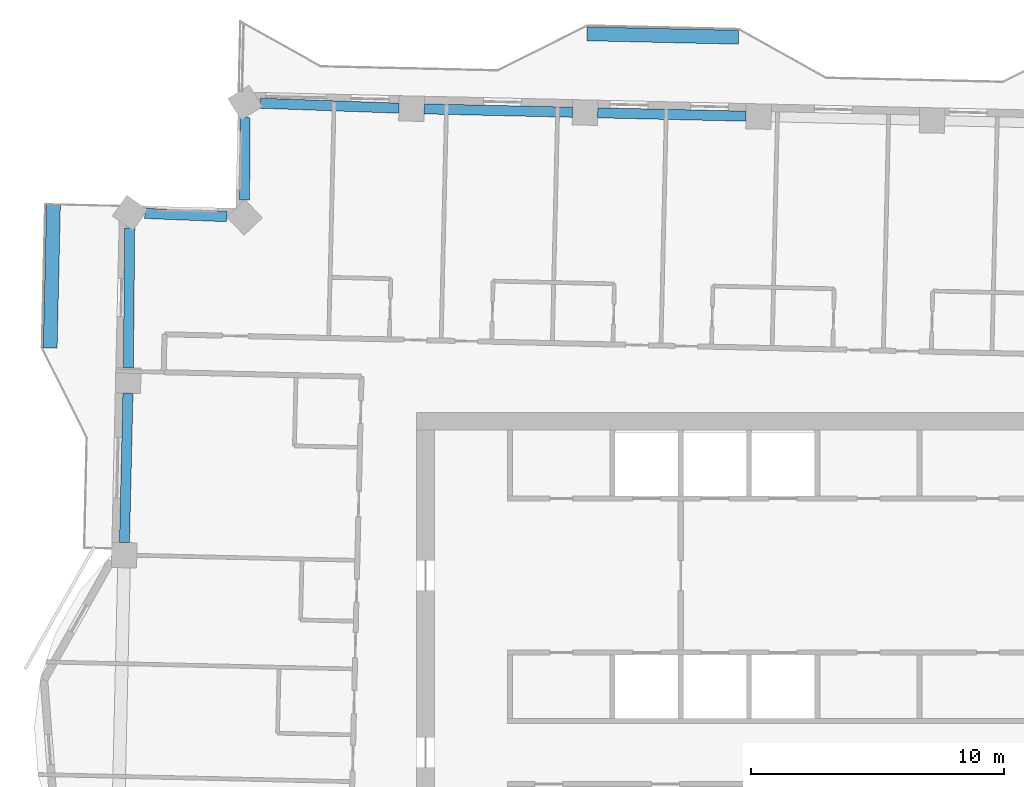
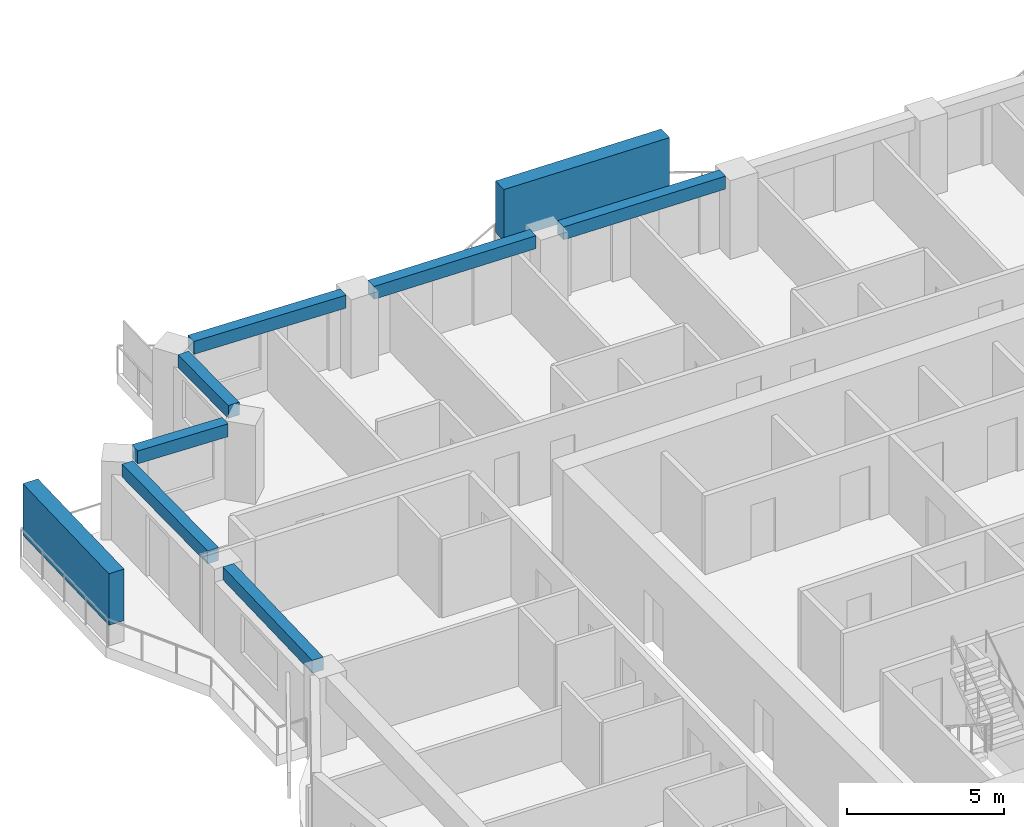
# One storey, part 3 of 17: 7 beams, 2 members.
"""IFC4 building model written with IfcOpenShell, lengths in metres."""

from ifc_helpers import new_model, si_unit, direction, frame, origin, origin_2d, place, context, subcontext, project, spatial, rectangle, extrude, material, material_profile, profile_set, type_object, element, save


model = new_model("IFC4")

# Units and contexts
model_context = context("Model", 3, precision=1e-05, world=origin(), true_north=direction((0.0, 1.0)))
body_context = subcontext(model_context, "Body", "Model", "MODEL_VIEW")
ifc_project = project(units=[si_unit("LENGTHUNIT", "METRE"), si_unit("AREAUNIT", "SQUARE_METRE"), si_unit("VOLUMEUNIT", "CUBIC_METRE"), si_unit("PLANEANGLEUNIT", "RADIAN"), si_unit("MASSUNIT", "GRAM", prefix="KILO")], contexts=[model_context])

# Site, building, storey
site_placement = place(None, origin())
site = spatial("IfcSite", under=ifc_project, at=site_placement, CompositionType="ELEMENT")
building_placement = place(site_placement, origin())
building = spatial("IfcBuilding", under=site, at=building_placement, Name="Mangrove Gate Tower", CompositionType="ELEMENT")
storey_placement = place(building_placement, frame((0.0, 0.0, 271.699951171875)))
storey = spatial("IfcBuildingStorey", under=building, at=storey_placement, Name="L69", CompositionType="ELEMENT", Elevation=271.699951171875)

# Members
ifc_material_1 = material(Name="Planting on aluminium trellis", Category="aluminium")
ifc_material_profile_1 = material_profile(ifc_material_1, rectangle(XDim=0.550048828125, YDim=2.0, at=origin_2d()))
ifc_profile_set_1 = profile_set([ifc_material_profile_1], Name="Planting on aluminium trellis")
member_type = type_object("IfcMemberType", Name="Balcony greenery screen 550x2000", PredefinedType="USERDEFINED", material=ifc_profile_set_1)
member_1_placement = place(storey_placement, frame((-7.763916015625, 26.485107421875, 1.800048828125), z_axis=(0.999743178102, -0.022662255828, 0.0), x_axis=(0.022662255828, 0.999743178102, 0.0)))
element("IfcMember", 1, at=member_1_placement, inside=storey, type_object=member_type, Name="GREEN SCREEN L69 N1.1", ObjectType="PLANTING", PredefinedType="USERDEFINED", context=body_context, shape_type="SweptSolid", body=[
    extrude(rectangle(XDim=0.550048828125, YDim=2.0, at=origin_2d()), origin(), (0.0, 0.0, 1.0), 6.00048828125),
])
member_2_placement = place(storey_placement, frame((-29.0029296875, 14.049072265625, 1.800048828125), z_axis=(0.022788544648, 0.999740307396, 0.0), x_axis=(-0.999740307396, 0.022788544648, 0.0)))
element("IfcMember", 2, at=member_2_placement, inside=storey, type_object=member_type, Name="GREEN SCREEN L69 W0.1", ObjectType="PLANTING", PredefinedType="USERDEFINED", context=body_context, shape_type="SweptSolid", body=[
    extrude(rectangle(XDim=0.550048828125, YDim=2.0, at=origin_2d()), origin(), (0.0, 0.0, 1.0), 5.699462890625),
])

# Beams
ifc_material_2 = material(Name="Concrete C50/60", Category="concrete")
ifc_material_profile_2 = material_profile(ifc_material_2, rectangle(XDim=0.39990234375, YDim=0.5, at=origin_2d()))
ifc_profile_set_2 = profile_set([ifc_material_profile_2], Name="Concrete C50/60")
beam_type = type_object("IfcBeamType", Name="Edge beam RC 400x500 C50/60", PredefinedType="BEAM", material=ifc_profile_set_2)
beam_1_placement = place(storey_placement, frame((-1.47021484375, 23.226318359375, 2.800048828125), z_axis=(-0.999744748613, 0.022592866593, 0.0), x_axis=(-0.022592866593, -0.999744748613, 0.0)))
element("IfcBeam", 3, at=beam_1_placement, inside=storey, type_object=beam_type, Name="Edge beam L69 24", PredefinedType="BEAM", context=body_context, shape_type="SweptSolid", body=[
    extrude(rectangle(XDim=0.39990234375, YDim=0.5, at=origin_2d()), origin(), (0.0, 0.0, 1.0), 5.86767578125),
])
beam_2_placement = place(storey_placement, frame((-8.336181640625, 23.381591796875, 2.800048828125), z_axis=(-0.999742779972, 0.022679812483, 0.0), x_axis=(-0.022679812483, -0.999742779972, 0.0)))
element("IfcBeam", 4, at=beam_2_placement, inside=storey, type_object=beam_type, Name="Edge beam L69 25", PredefinedType="BEAM", context=body_context, shape_type="SweptSolid", body=[
    extrude(rectangle(XDim=0.39990234375, YDim=0.5, at=origin_2d()), origin(), (0.0, 0.0, 1.0), 5.86669921875),
])
beam_3_placement = place(storey_placement, frame((-15.201171875, 23.5439453125, 2.800048828125), z_axis=(-0.999368457759, 0.035534288165, 0.0), x_axis=(-0.035534288165, -0.999368457759, 0.0)))
element("IfcBeam", 5, at=beam_3_placement, inside=storey, type_object=beam_type, Name="Edge beam L69 26", PredefinedType="BEAM", context=body_context, shape_type="SweptSolid", body=[
    extrude(rectangle(XDim=0.39990234375, YDim=0.5, at=origin_2d()), origin(), (0.0, 0.0, 1.0), 5.482666015625),
])
beam_4_placement = place(storey_placement, frame((-21.290771484375, 23.1650390625, 2.800048828125), z_axis=(-0.006013120391, -0.999981921028, 0.0), x_axis=(0.999981921028, -0.006013120391, 0.0)))
element("IfcBeam", 6, at=beam_4_placement, inside=storey, type_object=beam_type, Name="Edge beam L69 27", PredefinedType="BEAM", context=body_context, shape_type="SweptSolid", body=[
    extrude(rectangle(XDim=0.39990234375, YDim=0.5, at=origin_2d()), origin(), (0.0, 0.0, 1.0), 3.248046875),
])
beam_5_placement = place(storey_placement, frame((-22.009521484375, 19.2490234375, 2.800048828125), z_axis=(-0.999212441991, 0.039679916469, 0.0), x_axis=(-0.039679916469, -0.999212441991, 0.0)))
element("IfcBeam", 7, at=beam_5_placement, inside=storey, type_object=beam_type, Name="Edge beam L69 28", PredefinedType="BEAM", context=body_context, shape_type="SweptSolid", body=[
    extrude(rectangle(XDim=0.39990234375, YDim=0.5, at=origin_2d()), origin(), (0.0, 0.0, 1.0), 3.24853515625),
])
beam_6_placement = place(storey_placement, frame((-25.855224609375, 18.7958984375, 2.800048828125), z_axis=(-0.010108966043, -0.999948903097, 0.0), x_axis=(0.999948903097, -0.010108966043, 0.0)))
element("IfcBeam", 8, at=beam_6_placement, inside=storey, type_object=beam_type, Name="Edge beam L69 29", PredefinedType="BEAM", context=body_context, shape_type="SweptSolid", body=[
    extrude(rectangle(XDim=0.39990234375, YDim=0.5, at=origin_2d()), origin(), (0.0, 0.0, 1.0), 5.530517578125),
])
beam_7_placement = place(storey_placement, frame((-25.927490234375, 12.265869140625, 2.800048828125), z_axis=(-0.022709212486, -0.999742112581, 0.0), x_axis=(0.999742112581, -0.022709212486, 0.0)))
element("IfcBeam", 9, at=beam_7_placement, inside=storey, type_object=beam_type, Name="Edge beam L69 30", PredefinedType="BEAM", context=body_context, shape_type="SweptSolid", body=[
    extrude(rectangle(XDim=0.39990234375, YDim=0.5, at=origin_2d()), origin(), (0.0, 0.0, 1.0), 5.912841796875),
])

save(model, "model.ifc")
